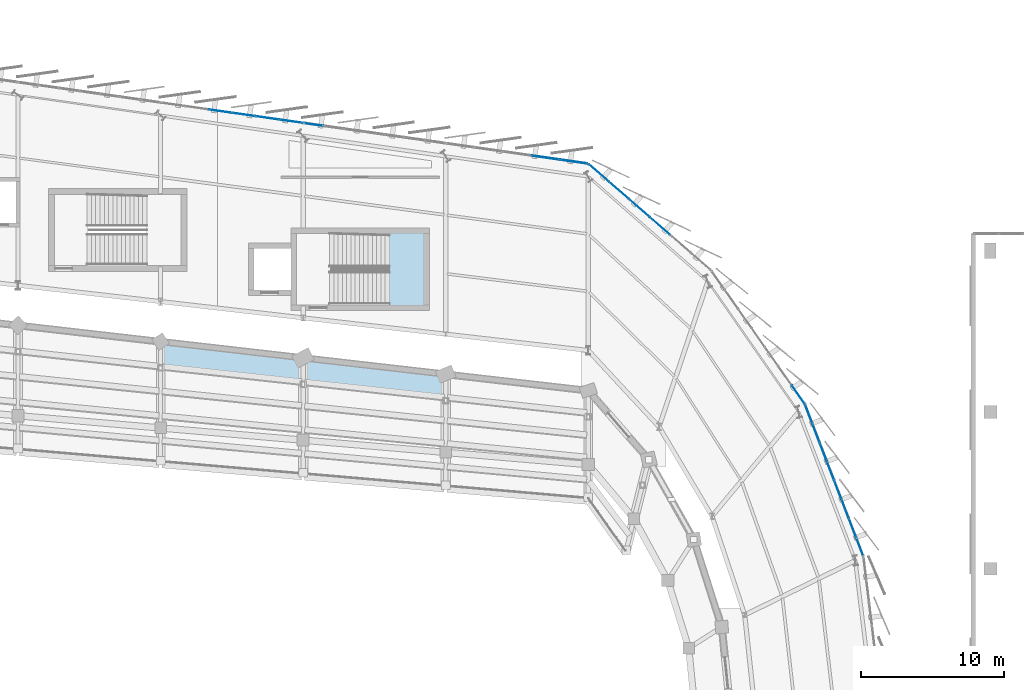
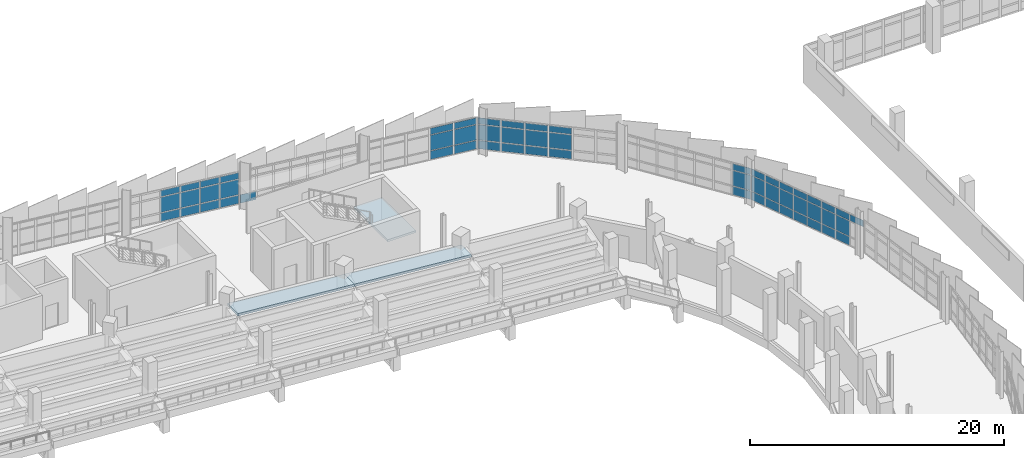
# One storey, part 91 of 120: 56 plates, 3 slabs, 7 elements without a shape of their own.
"""IFC4 building model written with IfcOpenShell, lengths in metres."""

from ifc_helpers import new_model, si_unit, direction, frame, origin, origin_2d, place, context, subcontext, project, spatial, polyline, rectangle, outline, extrude, material, layer, layer_set, type_object, element, aggregate, save


model = new_model("IFC4")

# Units and contexts
model_context = context("Model", 3, precision=1e-05, world=origin(), true_north=direction((0.0, 1.0)))
body_context = subcontext(model_context, "Body", "Model", "MODEL_VIEW")
ifc_project = project(units=[si_unit("LENGTHUNIT", "METRE"), si_unit("AREAUNIT", "SQUARE_METRE"), si_unit("VOLUMEUNIT", "CUBIC_METRE"), si_unit("PLANEANGLEUNIT", "RADIAN"), si_unit("MASSUNIT", "GRAM", prefix="KILO")], contexts=[model_context])

# Site, building, storey
site_placement = place(None, origin())
site = spatial("IfcSite", under=ifc_project, at=site_placement, CompositionType="ELEMENT")
building_placement = place(site_placement, origin())
building = spatial("IfcBuilding", under=site, at=building_placement, Name="Sohan Crest Arena", CompositionType="ELEMENT")
storey_placement = place(building_placement, frame((0.0, 0.0, 13.5)))
storey = spatial("IfcBuildingStorey", under=building, at=storey_placement, Name="L03", CompositionType="ELEMENT", Elevation=13.5)

# Curtain wall, plates
ifc_material_1 = material(Name="Thermally broken anodised aluminium", Category="aluminium")
ifc_layer_1 = layer(ifc_material_1, 0.179931640625, Name="Thermally broken anodised aluminium")
ifc_layer_set_1 = layer_set([ifc_layer_1], Name="Thermally broken anodised aluminium")
curtain_wall_type_1 = type_object("IfcCurtainWallType", Name="ARC-CW01", PredefinedType="NOTDEFINED", material=ifc_layer_set_1)
curtain_wall_1_placement = place(storey_placement, origin())
curtain_wall_1 = element("IfcCurtainWall", 1, at=curtain_wall_1_placement, inside=storey, type_object=curtain_wall_type_1, Name="Unitised curtain wall CW-102", PredefinedType="NOTDEFINED")
ifc_material_2 = material(Name="Low-E double-glazed insulated glass", Category="glass")
ifc_layer_2 = layer(ifc_material_2, 0.028076171875, Name="Low-E double-glazed insulated glass")
ifc_layer_set_2 = layer_set([ifc_layer_2], Name="Low-E double-glazed insulated glass")
plate_type_1 = type_object("IfcPlateType", Name="ARC-CNP01", PredefinedType="CURTAIN_PANEL", material=ifc_layer_set_2)
plate_1_placement = place(storey_placement, frame((187.044189453125, 90.035400390625, 2.44970703125), z_axis=(0.0, 0.0, 1.0), x_axis=(-0.35865103722, 0.93347171007, 0.0)))
plate_1 = element("IfcPlate", 2, at=plate_1_placement, type_object=plate_type_1, Name="CW-102 panel 1.3", PredefinedType="CURTAIN_PANEL", context=body_context, shape_type="SweptSolid", body=[
    extrude(rectangle(XDim=1.340087890625, YDim=0.028076171875, at=origin_2d()), origin(), (0.0, 0.0, 1.0), 0.610107421875),
])
plate_2_placement = place(storey_placement, frame((186.53662109375, 91.356201171875, 0.06005859375), z_axis=(0.0, 0.0, 1.0), x_axis=(-0.35865103722, 0.93347171007, 0.0)))
plate_2 = element("IfcPlate", 3, at=plate_2_placement, type_object=plate_type_1, Name="CW-102 panel 2.1", PredefinedType="CURTAIN_PANEL", context=body_context, shape_type="SweptSolid", body=[
    extrude(rectangle(XDim=1.3701171875, YDim=0.028076171875, at=origin_2d()), origin(), (0.0, 0.0, 1.0), 0.81005859375),
])
plate_3_placement = place(storey_placement, frame((186.53662109375, 91.356201171875, 0.929931640625), z_axis=(0.0, 0.0, 1.0), x_axis=(-0.35865103722, 0.93347171007, 0.0)))
plate_3 = element("IfcPlate", 4, at=plate_3_placement, type_object=plate_type_1, Name="CW-102 panel 2.2", PredefinedType="CURTAIN_PANEL", context=body_context, shape_type="SweptSolid", body=[
    extrude(rectangle(XDim=1.3701171875, YDim=0.028076171875, at=origin_2d()), origin(), (0.0, 0.0, 1.0), 1.4599609375),
])
plate_4_placement = place(storey_placement, frame((186.53662109375, 91.356201171875, 2.44970703125), z_axis=(0.0, 0.0, 1.0), x_axis=(-0.35865103722, 0.93347171007, 0.0)))
plate_4 = element("IfcPlate", 5, at=plate_4_placement, type_object=plate_type_1, Name="CW-102 panel 2.3", PredefinedType="CURTAIN_PANEL", context=body_context, shape_type="SweptSolid", body=[
    extrude(rectangle(XDim=1.3701171875, YDim=0.028076171875, at=origin_2d()), origin(), (0.0, 0.0, 1.0), 0.610107421875),
])
plate_5_placement = place(storey_placement, frame((186.02392578125, 92.691162109375, 0.06005859375), z_axis=(0.0, 0.0, 1.0), x_axis=(-0.35865103722, 0.93347171007, 0.0)))
plate_5 = element("IfcPlate", 6, at=plate_5_placement, type_object=plate_type_1, Name="CW-102 panel 3.1", PredefinedType="CURTAIN_PANEL", context=body_context, shape_type="SweptSolid", body=[
    extrude(rectangle(XDim=1.3701171875, YDim=0.028076171875, at=origin_2d()), origin(), (0.0, 0.0, 1.0), 0.81005859375),
])
plate_6_placement = place(storey_placement, frame((186.02392578125, 92.691162109375, 0.929931640625), z_axis=(0.0, 0.0, 1.0), x_axis=(-0.35865103722, 0.93347171007, 0.0)))
plate_6 = element("IfcPlate", 7, at=plate_6_placement, type_object=plate_type_1, Name="CW-102 panel 3.2", PredefinedType="CURTAIN_PANEL", context=body_context, shape_type="SweptSolid", body=[
    extrude(rectangle(XDim=1.3701171875, YDim=0.028076171875, at=origin_2d()), origin(), (0.0, 0.0, 1.0), 1.4599609375),
])
plate_7_placement = place(storey_placement, frame((186.02392578125, 92.691162109375, 2.44970703125), z_axis=(0.0, 0.0, 1.0), x_axis=(-0.35865103722, 0.93347171007, 0.0)))
plate_7 = element("IfcPlate", 8, at=plate_7_placement, type_object=plate_type_1, Name="CW-102 panel 3.3", PredefinedType="CURTAIN_PANEL", context=body_context, shape_type="SweptSolid", body=[
    extrude(rectangle(XDim=1.3701171875, YDim=0.028076171875, at=origin_2d()), origin(), (0.0, 0.0, 1.0), 0.610107421875),
])
plate_8_placement = place(storey_placement, frame((185.510986328125, 94.026123046875, 0.06005859375), z_axis=(0.0, 0.0, 1.0), x_axis=(-0.35865103722, 0.93347171007, 0.0)))
plate_8 = element("IfcPlate", 9, at=plate_8_placement, type_object=plate_type_1, Name="CW-102 panel 4.1", PredefinedType="CURTAIN_PANEL", context=body_context, shape_type="SweptSolid", body=[
    extrude(rectangle(XDim=1.3701171875, YDim=0.028076171875, at=origin_2d()), origin(), (0.0, 0.0, 1.0), 0.81005859375),
])
plate_9_placement = place(storey_placement, frame((185.510986328125, 94.026123046875, 0.929931640625), z_axis=(0.0, 0.0, 1.0), x_axis=(-0.35865103722, 0.93347171007, 0.0)))
plate_9 = element("IfcPlate", 10, at=plate_9_placement, type_object=plate_type_1, Name="CW-102 panel 4.2", PredefinedType="CURTAIN_PANEL", context=body_context, shape_type="SweptSolid", body=[
    extrude(rectangle(XDim=1.3701171875, YDim=0.028076171875, at=origin_2d()), origin(), (0.0, 0.0, 1.0), 1.4599609375),
])
plate_10_placement = place(storey_placement, frame((185.510986328125, 94.026123046875, 2.44970703125), z_axis=(0.0, 0.0, 1.0), x_axis=(-0.35865103722, 0.93347171007, 0.0)))
plate_10 = element("IfcPlate", 11, at=plate_10_placement, type_object=plate_type_1, Name="CW-102 panel 4.3", PredefinedType="CURTAIN_PANEL", context=body_context, shape_type="SweptSolid", body=[
    extrude(rectangle(XDim=1.3701171875, YDim=0.028076171875, at=origin_2d()), origin(), (0.0, 0.0, 1.0), 0.610107421875),
])
plate_11_placement = place(storey_placement, frame((184.998046875, 95.36083984375, 0.06005859375), z_axis=(0.0, 0.0, 1.0), x_axis=(-0.35865103722, 0.93347171007, 0.0)))
plate_11 = element("IfcPlate", 12, at=plate_11_placement, type_object=plate_type_1, Name="CW-102 panel 5.1", PredefinedType="CURTAIN_PANEL", context=body_context, shape_type="SweptSolid", body=[
    extrude(rectangle(XDim=1.3701171875, YDim=0.028076171875, at=origin_2d()), origin(), (0.0, 0.0, 1.0), 0.81005859375),
])
plate_12_placement = place(storey_placement, frame((184.998046875, 95.36083984375, 0.929931640625), z_axis=(0.0, 0.0, 1.0), x_axis=(-0.35865103722, 0.93347171007, 0.0)))
plate_12 = element("IfcPlate", 13, at=plate_12_placement, type_object=plate_type_1, Name="CW-102 panel 5.2", PredefinedType="CURTAIN_PANEL", context=body_context, shape_type="SweptSolid", body=[
    extrude(rectangle(XDim=1.3701171875, YDim=0.028076171875, at=origin_2d()), origin(), (0.0, 0.0, 1.0), 1.4599609375),
])
plate_13_placement = place(storey_placement, frame((184.998046875, 95.36083984375, 2.44970703125), z_axis=(0.0, 0.0, 1.0), x_axis=(-0.35865103722, 0.93347171007, 0.0)))
plate_13 = element("IfcPlate", 14, at=plate_13_placement, type_object=plate_type_1, Name="CW-102 panel 5.3", PredefinedType="CURTAIN_PANEL", context=body_context, shape_type="SweptSolid", body=[
    extrude(rectangle(XDim=1.3701171875, YDim=0.028076171875, at=origin_2d()), origin(), (0.0, 0.0, 1.0), 0.610107421875),
])
plate_14_placement = place(storey_placement, frame((184.485107421875, 96.69580078125, 0.06005859375), z_axis=(0.0, 0.0, 1.0), x_axis=(-0.35865103722, 0.93347171007, 0.0)))
plate_14 = element("IfcPlate", 15, at=plate_14_placement, type_object=plate_type_1, Name="CW-102 panel 6.1", PredefinedType="CURTAIN_PANEL", context=body_context, shape_type="SweptSolid", body=[
    extrude(rectangle(XDim=1.3701171875, YDim=0.028076171875, at=origin_2d()), origin(), (0.0, 0.0, 1.0), 0.81005859375),
])
plate_15_placement = place(storey_placement, frame((184.485107421875, 96.69580078125, 0.929931640625), z_axis=(0.0, 0.0, 1.0), x_axis=(-0.35865103722, 0.93347171007, 0.0)))
plate_15 = element("IfcPlate", 16, at=plate_15_placement, type_object=plate_type_1, Name="CW-102 panel 6.2", PredefinedType="CURTAIN_PANEL", context=body_context, shape_type="SweptSolid", body=[
    extrude(rectangle(XDim=1.3701171875, YDim=0.028076171875, at=origin_2d()), origin(), (0.0, 0.0, 1.0), 1.4599609375),
])
plate_16_placement = place(storey_placement, frame((184.485107421875, 96.69580078125, 2.44970703125), z_axis=(0.0, 0.0, 1.0), x_axis=(-0.35865103722, 0.93347171007, 0.0)))
plate_16 = element("IfcPlate", 17, at=plate_16_placement, type_object=plate_type_1, Name="CW-102 panel 6.3", PredefinedType="CURTAIN_PANEL", context=body_context, shape_type="SweptSolid", body=[
    extrude(rectangle(XDim=1.3701171875, YDim=0.028076171875, at=origin_2d()), origin(), (0.0, 0.0, 1.0), 0.610107421875),
])
plate_17_placement = place(storey_placement, frame((183.972412109375, 98.03076171875, 0.06005859375), z_axis=(0.0, 0.0, 1.0), x_axis=(-0.35865103722, 0.93347171007, 0.0)))
plate_17 = element("IfcPlate", 18, at=plate_17_placement, type_object=plate_type_1, Name="CW-102 panel 7.1", PredefinedType="CURTAIN_PANEL", context=body_context, shape_type="SweptSolid", body=[
    extrude(rectangle(XDim=1.3701171875, YDim=0.028076171875, at=origin_2d()), origin(), (0.0, 0.0, 1.0), 0.81005859375),
])
plate_18_placement = place(storey_placement, frame((183.972412109375, 98.03076171875, 0.929931640625), z_axis=(0.0, 0.0, 1.0), x_axis=(-0.35865103722, 0.93347171007, 0.0)))
plate_18 = element("IfcPlate", 19, at=plate_18_placement, type_object=plate_type_1, Name="CW-102 panel 7.2", PredefinedType="CURTAIN_PANEL", context=body_context, shape_type="SweptSolid", body=[
    extrude(rectangle(XDim=1.3701171875, YDim=0.028076171875, at=origin_2d()), origin(), (0.0, 0.0, 1.0), 1.4599609375),
])
plate_19_placement = place(storey_placement, frame((183.972412109375, 98.03076171875, 2.44970703125), z_axis=(0.0, 0.0, 1.0), x_axis=(-0.35865103722, 0.93347171007, 0.0)))
plate_19 = element("IfcPlate", 20, at=plate_19_placement, type_object=plate_type_1, Name="CW-102 panel 7.3", PredefinedType="CURTAIN_PANEL", context=body_context, shape_type="SweptSolid", body=[
    extrude(rectangle(XDim=1.3701171875, YDim=0.028076171875, at=origin_2d()), origin(), (0.0, 0.0, 1.0), 0.610107421875),
])
plate_20_placement = place(storey_placement, frame((183.46484375, 99.3515625, 0.06005859375), z_axis=(0.0, 0.0, 1.0), x_axis=(-0.35865103722, 0.93347171007, 0.0)))
plate_20 = element("IfcPlate", 21, at=plate_20_placement, type_object=plate_type_1, Name="CW-102 panel 8.1", PredefinedType="CURTAIN_PANEL", context=body_context, shape_type="SweptSolid", body=[
    extrude(rectangle(XDim=1.340087890625, YDim=0.028076171875, at=origin_2d()), origin(), (0.0, 0.0, 1.0), 0.81005859375),
])
plate_21_placement = place(storey_placement, frame((183.46484375, 99.3515625, 0.929931640625), z_axis=(0.0, 0.0, 1.0), x_axis=(-0.35865103722, 0.93347171007, 0.0)))
plate_21 = element("IfcPlate", 22, at=plate_21_placement, type_object=plate_type_1, Name="CW-102 panel 8.2", PredefinedType="CURTAIN_PANEL", context=body_context, shape_type="SweptSolid", body=[
    extrude(rectangle(XDim=1.340087890625, YDim=0.028076171875, at=origin_2d()), origin(), (0.0, 0.0, 1.0), 1.4599609375),
])
plate_22_placement = place(storey_placement, frame((183.46484375, 99.3515625, 2.44970703125), z_axis=(0.0, 0.0, 1.0), x_axis=(-0.35865103722, 0.93347171007, 0.0)))
plate_22 = element("IfcPlate", 23, at=plate_22_placement, type_object=plate_type_1, Name="CW-102 panel 8.3", PredefinedType="CURTAIN_PANEL", context=body_context, shape_type="SweptSolid", body=[
    extrude(rectangle(XDim=1.340087890625, YDim=0.028076171875, at=origin_2d()), origin(), (0.0, 0.0, 1.0), 0.610107421875),
])
aggregate(curtain_wall_1, [plate_1, plate_2, plate_3, plate_4, plate_5, plate_6, plate_7, plate_8, plate_9, plate_10, plate_11, plate_12, plate_13, plate_14, plate_15, plate_16, plate_17, plate_18, plate_19, plate_20, plate_21, plate_22])

# Curtain wall, plate
ifc_layer_3 = layer(ifc_material_1, 0.18994140625, Name="Thermally broken anodised aluminium")
ifc_layer_set_3 = layer_set([ifc_layer_3], Name="Thermally broken anodised aluminium")
curtain_wall_type_2 = type_object("IfcCurtainWallType", Name="ARC-CW05", PredefinedType="NOTDEFINED", material=ifc_layer_set_3)
curtain_wall_2_placement = place(storey_placement, origin())
curtain_wall_2 = element("IfcCurtainWall", 24, at=curtain_wall_2_placement, inside=storey, type_object=curtain_wall_type_2, Name="Unitised curtain wall CW-106", PredefinedType="NOTDEFINED")
plate_23_placement = place(storey_placement, frame((148.729248046875, 119.65283203125, 0.06494140625), z_axis=(0.0, 0.0, 1.0), x_axis=(-0.989957411768, 0.141365918403, 0.0)))
plate_23 = element("IfcPlate", 25, at=plate_23_placement, type_object=plate_type_1, Name="CW-106 panel 7.1", PredefinedType="CURTAIN_PANEL", context=body_context, shape_type="SweptSolid", body=[
    extrude(rectangle(XDim=1.35302734375, YDim=0.028076171875, at=origin_2d()), origin(), (0.0, 0.0, 1.0), 0.802490234375),
])
aggregate(curtain_wall_2, [plate_23])

# Curtain wall, plates
ifc_layer_4 = layer(ifc_material_1, 0.199951171875, Name="Thermally broken anodised aluminium")
ifc_layer_set_4 = layer_set([ifc_layer_4], Name="Thermally broken anodised aluminium")
curtain_wall_type_3 = type_object("IfcCurtainWallType", Name="ARC-CW02", PredefinedType="NOTDEFINED", material=ifc_layer_set_4)
curtain_wall_3_placement = place(storey_placement, origin())
curtain_wall_3 = element("IfcCurtainWall", 26, at=curtain_wall_3_placement, inside=storey, type_object=curtain_wall_type_3, Name="Unitised curtain wall CW-103", PredefinedType="NOTDEFINED")
ifc_layer_5 = layer(ifc_material_2, 0.031982421875, Name="Low-E double-glazed insulated glass")
ifc_layer_set_5 = layer_set([ifc_layer_5], Name="Low-E double-glazed insulated glass")
plate_type_2 = type_object("IfcPlateType", Name="ARC-CNP02", PredefinedType="CURTAIN_PANEL", material=ifc_layer_set_5)
plate_24_placement = place(storey_placement, frame((182.724853515625, 100.71533203125, 0.06494140625), z_axis=(0.0, 0.0, 1.0), x_axis=(-0.573937504976, 0.818899102687, 0.0)))
plate_24 = element("IfcPlate", 27, at=plate_24_placement, type_object=plate_type_2, Name="CW-103 panel 1.1", PredefinedType="CURTAIN_PANEL", context=body_context, shape_type="SweptSolid", body=[
    extrude(rectangle(XDim=1.53662109375, YDim=0.031982421875, at=origin_2d()), origin(), (0.0, 0.0, 1.0), 0.802490234375),
])
plate_25_placement = place(storey_placement, frame((182.724853515625, 100.71533203125, 0.932373046875), z_axis=(0.0, 0.0, 1.0), x_axis=(-0.573937504976, 0.818899102687, 0.0)))
plate_25 = element("IfcPlate", 28, at=plate_25_placement, type_object=plate_type_2, Name="CW-103 panel 1.2", PredefinedType="CURTAIN_PANEL", context=body_context, shape_type="SweptSolid", body=[
    extrude(rectangle(XDim=1.53662109375, YDim=0.031982421875, at=origin_2d()), origin(), (0.0, 0.0, 1.0), 1.455078125),
])
plate_26_placement = place(storey_placement, frame((182.724853515625, 100.71533203125, 2.452392578125), z_axis=(0.0, 0.0, 1.0), x_axis=(-0.573937504976, 0.818899102687, 0.0)))
plate_26 = element("IfcPlate", 29, at=plate_26_placement, type_object=plate_type_2, Name="CW-103 panel 1.3", PredefinedType="CURTAIN_PANEL", context=body_context, shape_type="SweptSolid", body=[
    extrude(rectangle(XDim=1.53662109375, YDim=0.031982421875, at=origin_2d()), origin(), (0.0, 0.0, 1.0), 0.6025390625),
])
aggregate(curtain_wall_3, [plate_24, plate_25, plate_26])

ifc_layer_6 = layer(ifc_material_1, 0.2099609375, Name="Thermally broken anodised aluminium")
ifc_layer_set_6 = layer_set([ifc_layer_6], Name="Thermally broken anodised aluminium")
curtain_wall_type_4 = type_object("IfcCurtainWallType", Name="ARC-CW06", PredefinedType="NOTDEFINED", material=ifc_layer_set_6)
curtain_wall_4_placement = place(storey_placement, origin())
curtain_wall_4 = element("IfcCurtainWall", 30, at=curtain_wall_4_placement, inside=storey, type_object=curtain_wall_type_4, Name="Unitised curtain wall CW-107", PredefinedType="NOTDEFINED")
plate_27_placement = place(storey_placement, frame((147.150634765625, 119.87841796875, 0.070068359375), z_axis=(0.0, 0.0, 1.0), x_axis=(-0.989943553128, 0.141462933734, 0.0)))
plate_27 = element("IfcPlate", 31, at=plate_27_placement, type_object=plate_type_2, Name="CW-107 panel 1.1", PredefinedType="CURTAIN_PANEL", context=body_context, shape_type="SweptSolid", body=[
    extrude(rectangle(XDim=1.586181640625, YDim=0.031982421875, at=origin_2d()), origin(), (0.0, 0.0, 1.0), 0.794921875),
])
plate_28_placement = place(storey_placement, frame((147.150634765625, 119.87841796875, 0.93505859375), z_axis=(0.0, 0.0, 1.0), x_axis=(-0.989943553128, 0.141462933734, 0.0)))
plate_28 = element("IfcPlate", 32, at=plate_28_placement, type_object=plate_type_2, Name="CW-107 panel 1.2", PredefinedType="CURTAIN_PANEL", context=body_context, shape_type="SweptSolid", body=[
    extrude(rectangle(XDim=1.586181640625, YDim=0.031982421875, at=origin_2d()), origin(), (0.0, 0.0, 1.0), 1.449951171875),
])
plate_29_placement = place(storey_placement, frame((147.150634765625, 119.87841796875, 2.455078125), z_axis=(0.0, 0.0, 1.0), x_axis=(-0.989943553128, 0.141462933734, 0.0)))
plate_29 = element("IfcPlate", 33, at=plate_29_placement, type_object=plate_type_2, Name="CW-107 panel 1.3", PredefinedType="CURTAIN_PANEL", context=body_context, shape_type="SweptSolid", body=[
    extrude(rectangle(XDim=1.586181640625, YDim=0.031982421875, at=origin_2d()), origin(), (0.0, 0.0, 1.0), 0.594970703125),
])
plate_30_placement = place(storey_placement, frame((145.5, 120.1142578125, 0.070068359375), z_axis=(0.0, 0.0, 1.0), x_axis=(-0.989943553128, 0.141462933734, 0.0)))
plate_30 = element("IfcPlate", 34, at=plate_30_placement, type_object=plate_type_2, Name="CW-107 panel 2.1", PredefinedType="CURTAIN_PANEL", context=body_context, shape_type="SweptSolid", body=[
    extrude(rectangle(XDim=1.61865234375, YDim=0.031982421875, at=origin_2d()), origin(), (0.0, 0.0, 1.0), 0.794921875),
])
plate_31_placement = place(storey_placement, frame((145.5, 120.1142578125, 0.93505859375), z_axis=(0.0, 0.0, 1.0), x_axis=(-0.989943553128, 0.141462933734, 0.0)))
plate_31 = element("IfcPlate", 35, at=plate_31_placement, type_object=plate_type_2, Name="CW-107 panel 2.2", PredefinedType="CURTAIN_PANEL", context=body_context, shape_type="SweptSolid", body=[
    extrude(rectangle(XDim=1.61865234375, YDim=0.031982421875, at=origin_2d()), origin(), (0.0, 0.0, 1.0), 1.449951171875),
])
plate_32_placement = place(storey_placement, frame((145.5, 120.1142578125, 2.455078125), z_axis=(0.0, 0.0, 1.0), x_axis=(-0.989943553128, 0.141462933734, 0.0)))
plate_32 = element("IfcPlate", 36, at=plate_32_placement, type_object=plate_type_2, Name="CW-107 panel 2.3", PredefinedType="CURTAIN_PANEL", context=body_context, shape_type="SweptSolid", body=[
    extrude(rectangle(XDim=1.61865234375, YDim=0.031982421875, at=origin_2d()), origin(), (0.0, 0.0, 1.0), 0.594970703125),
])
plate_33_placement = place(storey_placement, frame((143.833251953125, 120.352294921875, 0.070068359375), z_axis=(0.0, 0.0, 1.0), x_axis=(-0.989943553128, 0.141462933734, 0.0)))
plate_33 = element("IfcPlate", 37, at=plate_33_placement, type_object=plate_type_2, Name="CW-107 panel 3.1", PredefinedType="CURTAIN_PANEL", context=body_context, shape_type="SweptSolid", body=[
    extrude(rectangle(XDim=1.61865234375, YDim=0.031982421875, at=origin_2d()), origin(), (0.0, 0.0, 1.0), 0.794921875),
])
plate_34_placement = place(storey_placement, frame((143.833251953125, 120.352294921875, 0.93505859375), z_axis=(0.0, 0.0, 1.0), x_axis=(-0.989943553128, 0.141462933734, 0.0)))
plate_34 = element("IfcPlate", 38, at=plate_34_placement, type_object=plate_type_2, Name="CW-107 panel 3.2", PredefinedType="CURTAIN_PANEL", context=body_context, shape_type="SweptSolid", body=[
    extrude(rectangle(XDim=1.61865234375, YDim=0.031982421875, at=origin_2d()), origin(), (0.0, 0.0, 1.0), 1.449951171875),
])
plate_35_placement = place(storey_placement, frame((143.833251953125, 120.352294921875, 2.455078125), z_axis=(0.0, 0.0, 1.0), x_axis=(-0.989943553128, 0.141462933734, 0.0)))
plate_35 = element("IfcPlate", 39, at=plate_35_placement, type_object=plate_type_2, Name="CW-107 panel 3.3", PredefinedType="CURTAIN_PANEL", context=body_context, shape_type="SweptSolid", body=[
    extrude(rectangle(XDim=1.61865234375, YDim=0.031982421875, at=origin_2d()), origin(), (0.0, 0.0, 1.0), 0.594970703125),
])
plate_36_placement = place(storey_placement, frame((142.166748046875, 120.590576171875, 0.070068359375), z_axis=(0.0, 0.0, 1.0), x_axis=(-0.989943553128, 0.141462933734, 0.0)))
plate_36 = element("IfcPlate", 40, at=plate_36_placement, type_object=plate_type_2, Name="CW-107 panel 4.1", PredefinedType="CURTAIN_PANEL", context=body_context, shape_type="SweptSolid", body=[
    extrude(rectangle(XDim=1.61865234375, YDim=0.031982421875, at=origin_2d()), origin(), (0.0, 0.0, 1.0), 0.794921875),
])
plate_37_placement = place(storey_placement, frame((142.166748046875, 120.590576171875, 0.93505859375), z_axis=(0.0, 0.0, 1.0), x_axis=(-0.989943553128, 0.141462933734, 0.0)))
plate_37 = element("IfcPlate", 41, at=plate_37_placement, type_object=plate_type_2, Name="CW-107 panel 4.2", PredefinedType="CURTAIN_PANEL", context=body_context, shape_type="SweptSolid", body=[
    extrude(rectangle(XDim=1.61865234375, YDim=0.031982421875, at=origin_2d()), origin(), (0.0, 0.0, 1.0), 1.449951171875),
])
plate_38_placement = place(storey_placement, frame((142.166748046875, 120.590576171875, 2.455078125), z_axis=(0.0, 0.0, 1.0), x_axis=(-0.989943553128, 0.141462933734, 0.0)))
plate_38 = element("IfcPlate", 42, at=plate_38_placement, type_object=plate_type_2, Name="CW-107 panel 4.3", PredefinedType="CURTAIN_PANEL", context=body_context, shape_type="SweptSolid", body=[
    extrude(rectangle(XDim=1.61865234375, YDim=0.031982421875, at=origin_2d()), origin(), (0.0, 0.0, 1.0), 0.594970703125),
])
aggregate(curtain_wall_4, [plate_27, plate_28, plate_29, plate_30, plate_31, plate_32, plate_33, plate_34, plate_35, plate_36, plate_37, plate_38])

ifc_layer_7 = layer(ifc_material_1, 0.219970703125, Name="Thermally broken anodised aluminium")
ifc_layer_set_7 = layer_set([ifc_layer_7], Name="Thermally broken anodised aluminium")
curtain_wall_type_5 = type_object("IfcCurtainWallType", Name="ARC-CW03", PredefinedType="NOTDEFINED", material=ifc_layer_set_7)
curtain_wall_5_placement = place(storey_placement, origin())
curtain_wall_5 = element("IfcCurtainWall", 43, at=curtain_wall_5_placement, inside=storey, type_object=curtain_wall_type_5, Name="Unitised curtain wall CW-104", PredefinedType="NOTDEFINED")
ifc_material_3 = material(Name="Ceramic-fritted solar-control insulated glass", Category="glass")
ifc_layer_8 = layer(ifc_material_3, 0.035888671875, Name="Ceramic-fritted solar-control insulated glass")
ifc_layer_set_8 = layer_set([ifc_layer_8], Name="Ceramic-fritted solar-control insulated glass")
plate_type_3 = type_object("IfcPlateType", Name="ARC-CNP03", PredefinedType="CURTAIN_PANEL", material=ifc_layer_set_8)
plate_39_placement = place(storey_placement, frame((173.038818359375, 112.52490234375, 0.070068359375), z_axis=(0.0, 0.0, 1.0), x_axis=(-0.755094613026, 0.655615836736, 0.0)))
plate_39 = element("IfcPlate", 44, at=plate_39_placement, type_object=plate_type_3, Name="CW-104 panel 3.1", PredefinedType="CURTAIN_PANEL", context=body_context, shape_type="SweptSolid", body=[
    extrude(rectangle(XDim=1.836669921875, YDim=0.035888671875, at=origin_2d()), origin(), (0.0, 0.0, 1.0), 0.794921875),
])
plate_40_placement = place(storey_placement, frame((173.038818359375, 112.52490234375, 0.93505859375), z_axis=(0.0, 0.0, 1.0), x_axis=(-0.755094613026, 0.655615836736, 0.0)))
plate_40 = element("IfcPlate", 45, at=plate_40_placement, type_object=plate_type_3, Name="CW-104 panel 3.2", PredefinedType="CURTAIN_PANEL", context=body_context, shape_type="SweptSolid", body=[
    extrude(rectangle(XDim=1.836669921875, YDim=0.035888671875, at=origin_2d()), origin(), (0.0, 0.0, 1.0), 1.449951171875),
])
plate_41_placement = place(storey_placement, frame((173.038818359375, 112.52490234375, 2.455078125), z_axis=(0.0, 0.0, 1.0), x_axis=(-0.755094613026, 0.655615836736, 0.0)))
plate_41 = element("IfcPlate", 46, at=plate_41_placement, type_object=plate_type_3, Name="CW-104 panel 3.3", PredefinedType="CURTAIN_PANEL", context=body_context, shape_type="SweptSolid", body=[
    extrude(rectangle(XDim=1.836669921875, YDim=0.035888671875, at=origin_2d()), origin(), (0.0, 0.0, 1.0), 0.594970703125),
])
plate_42_placement = place(storey_placement, frame((171.59912109375, 113.77490234375, 0.070068359375), z_axis=(0.0, 0.0, 1.0), x_axis=(-0.755094613026, 0.655615836736, 0.0)))
plate_42 = element("IfcPlate", 47, at=plate_42_placement, type_object=plate_type_3, Name="CW-104 panel 4.1", PredefinedType="CURTAIN_PANEL", context=body_context, shape_type="SweptSolid", body=[
    extrude(rectangle(XDim=1.836669921875, YDim=0.035888671875, at=origin_2d()), origin(), (0.0, 0.0, 1.0), 0.794921875),
])
plate_43_placement = place(storey_placement, frame((171.59912109375, 113.77490234375, 0.93505859375), z_axis=(0.0, 0.0, 1.0), x_axis=(-0.755094613026, 0.655615836736, 0.0)))
plate_43 = element("IfcPlate", 48, at=plate_43_placement, type_object=plate_type_3, Name="CW-104 panel 4.2", PredefinedType="CURTAIN_PANEL", context=body_context, shape_type="SweptSolid", body=[
    extrude(rectangle(XDim=1.836669921875, YDim=0.035888671875, at=origin_2d()), origin(), (0.0, 0.0, 1.0), 1.449951171875),
])
plate_44_placement = place(storey_placement, frame((171.59912109375, 113.77490234375, 2.455078125), z_axis=(0.0, 0.0, 1.0), x_axis=(-0.755094613026, 0.655615836736, 0.0)))
plate_44 = element("IfcPlate", 49, at=plate_44_placement, type_object=plate_type_3, Name="CW-104 panel 4.3", PredefinedType="CURTAIN_PANEL", context=body_context, shape_type="SweptSolid", body=[
    extrude(rectangle(XDim=1.836669921875, YDim=0.035888671875, at=origin_2d()), origin(), (0.0, 0.0, 1.0), 0.594970703125),
])
plate_45_placement = place(storey_placement, frame((170.159423828125, 115.02490234375, 0.070068359375), z_axis=(0.0, 0.0, 1.0), x_axis=(-0.755094613026, 0.655615836736, 0.0)))
plate_45 = element("IfcPlate", 50, at=plate_45_placement, type_object=plate_type_3, Name="CW-104 panel 5.1", PredefinedType="CURTAIN_PANEL", context=body_context, shape_type="SweptSolid", body=[
    extrude(rectangle(XDim=1.836669921875, YDim=0.035888671875, at=origin_2d()), origin(), (0.0, 0.0, 1.0), 0.794921875),
])
plate_46_placement = place(storey_placement, frame((170.159423828125, 115.02490234375, 0.93505859375), z_axis=(0.0, 0.0, 1.0), x_axis=(-0.755094613026, 0.655615836736, 0.0)))
plate_46 = element("IfcPlate", 51, at=plate_46_placement, type_object=plate_type_3, Name="CW-104 panel 5.2", PredefinedType="CURTAIN_PANEL", context=body_context, shape_type="SweptSolid", body=[
    extrude(rectangle(XDim=1.836669921875, YDim=0.035888671875, at=origin_2d()), origin(), (0.0, 0.0, 1.0), 1.449951171875),
])
plate_47_placement = place(storey_placement, frame((170.159423828125, 115.02490234375, 2.455078125), z_axis=(0.0, 0.0, 1.0), x_axis=(-0.755094613026, 0.655615836736, 0.0)))
plate_47 = element("IfcPlate", 52, at=plate_47_placement, type_object=plate_type_3, Name="CW-104 panel 5.3", PredefinedType="CURTAIN_PANEL", context=body_context, shape_type="SweptSolid", body=[
    extrude(rectangle(XDim=1.836669921875, YDim=0.035888671875, at=origin_2d()), origin(), (0.0, 0.0, 1.0), 0.594970703125),
])
plate_48_placement = place(storey_placement, frame((168.733154296875, 116.263427734375, 0.070068359375), z_axis=(0.0, 0.0, 1.0), x_axis=(-0.755094613026, 0.655615836736, 0.0)))
plate_48 = element("IfcPlate", 53, at=plate_48_placement, type_object=plate_type_3, Name="CW-104 panel 6.1", PredefinedType="CURTAIN_PANEL", context=body_context, shape_type="SweptSolid", body=[
    extrude(rectangle(XDim=1.801513671875, YDim=0.035888671875, at=origin_2d()), origin(), (0.0, 0.0, 1.0), 0.794921875),
])
plate_49_placement = place(storey_placement, frame((168.733154296875, 116.263427734375, 0.93505859375), z_axis=(0.0, 0.0, 1.0), x_axis=(-0.755094613026, 0.655615836736, 0.0)))
plate_49 = element("IfcPlate", 54, at=plate_49_placement, type_object=plate_type_3, Name="CW-104 panel 6.2", PredefinedType="CURTAIN_PANEL", context=body_context, shape_type="SweptSolid", body=[
    extrude(rectangle(XDim=1.801513671875, YDim=0.035888671875, at=origin_2d()), origin(), (0.0, 0.0, 1.0), 1.449951171875),
])
plate_50_placement = place(storey_placement, frame((168.733154296875, 116.263427734375, 2.455078125), z_axis=(0.0, 0.0, 1.0), x_axis=(-0.755094613026, 0.655615836736, 0.0)))
plate_50 = element("IfcPlate", 55, at=plate_50_placement, type_object=plate_type_3, Name="CW-104 panel 6.3", PredefinedType="CURTAIN_PANEL", context=body_context, shape_type="SweptSolid", body=[
    extrude(rectangle(XDim=1.801513671875, YDim=0.035888671875, at=origin_2d()), origin(), (0.0, 0.0, 1.0), 0.594970703125),
])
aggregate(curtain_wall_5, [plate_39, plate_40, plate_41, plate_42, plate_43, plate_44, plate_45, plate_46, plate_47, plate_48, plate_49, plate_50])

ifc_layer_9 = layer(ifc_material_1, 0.239990234375, Name="Thermally broken anodised aluminium")
ifc_layer_set_9 = layer_set([ifc_layer_9], Name="Thermally broken anodised aluminium")
curtain_wall_type_6 = type_object("IfcCurtainWallType", Name="ARC-CW04", PredefinedType="NOTDEFINED", material=ifc_layer_set_9)
curtain_wall_6_placement = place(storey_placement, origin())
curtain_wall_6 = element("IfcCurtainWall", 56, at=curtain_wall_6_placement, inside=storey, type_object=curtain_wall_type_6, Name="Unitised curtain wall CW-105", PredefinedType="NOTDEFINED")
ifc_material_4 = material(Name="Insulated polychrome ceramic spandrel panel", Category="masonry")
ifc_layer_10 = layer(ifc_material_4, 0.0419921875, Name="Insulated polychrome ceramic spandrel panel")
ifc_layer_set_10 = layer_set([ifc_layer_10], Name="Insulated polychrome ceramic spandrel panel")
plate_type_4 = type_object("IfcPlateType", Name="ARC-CNP04", PredefinedType="CURTAIN_PANEL", material=ifc_layer_set_10)
plate_51_placement = place(storey_placement, frame((166.9814453125, 117.045654296875, 0.06005859375), z_axis=(0.0, 0.0, 1.0), x_axis=(-0.989943553128, 0.141462933734, 0.0)))
plate_51 = element("IfcPlate", 57, at=plate_51_placement, type_object=plate_type_4, Name="CW-105 panel 1.1", PredefinedType="CURTAIN_PANEL", context=body_context, shape_type="SweptSolid", body=[
    extrude(rectangle(XDim=1.90771484375, YDim=0.0419921875, at=origin_2d()), origin(), (0.0, 0.0, 1.0), 0.81005859375),
])
plate_52_placement = place(storey_placement, frame((166.9814453125, 117.045654296875, 0.929931640625), z_axis=(0.0, 0.0, 1.0), x_axis=(-0.989943553128, 0.141462933734, 0.0)))
plate_52 = element("IfcPlate", 58, at=plate_52_placement, type_object=plate_type_4, Name="CW-105 panel 1.2", PredefinedType="CURTAIN_PANEL", context=body_context, shape_type="SweptSolid", body=[
    extrude(rectangle(XDim=1.90771484375, YDim=0.0419921875, at=origin_2d()), origin(), (0.0, 0.0, 1.0), 1.4599609375),
])
plate_53_placement = place(storey_placement, frame((166.9814453125, 117.045654296875, 2.44970703125), z_axis=(0.0, 0.0, 1.0), x_axis=(-0.989943553128, 0.141462933734, 0.0)))
plate_53 = element("IfcPlate", 59, at=plate_53_placement, type_object=plate_type_4, Name="CW-105 panel 1.3", PredefinedType="CURTAIN_PANEL", context=body_context, shape_type="SweptSolid", body=[
    extrude(rectangle(XDim=1.90771484375, YDim=0.0419921875, at=origin_2d()), origin(), (0.0, 0.0, 1.0), 0.610107421875),
])
plate_54_placement = place(storey_placement, frame((165.0, 117.32861328125, 0.06005859375), z_axis=(0.0, 0.0, 1.0), x_axis=(-0.989943553128, 0.141462933734, 0.0)))
plate_54 = element("IfcPlate", 60, at=plate_54_placement, type_object=plate_type_4, Name="CW-105 panel 2.1", PredefinedType="CURTAIN_PANEL", context=body_context, shape_type="SweptSolid", body=[
    extrude(rectangle(XDim=1.9453125, YDim=0.0419921875, at=origin_2d()), origin(), (0.0, 0.0, 1.0), 0.81005859375),
])
plate_55_placement = place(storey_placement, frame((165.0, 117.32861328125, 0.929931640625), z_axis=(0.0, 0.0, 1.0), x_axis=(-0.989943553128, 0.141462933734, 0.0)))
plate_55 = element("IfcPlate", 61, at=plate_55_placement, type_object=plate_type_4, Name="CW-105 panel 2.2", PredefinedType="CURTAIN_PANEL", context=body_context, shape_type="SweptSolid", body=[
    extrude(rectangle(XDim=1.9453125, YDim=0.0419921875, at=origin_2d()), origin(), (0.0, 0.0, 1.0), 1.4599609375),
])
plate_56_placement = place(storey_placement, frame((165.0, 117.32861328125, 2.44970703125), z_axis=(0.0, 0.0, 1.0), x_axis=(-0.989943553128, 0.141462933734, 0.0)))
plate_56 = element("IfcPlate", 62, at=plate_56_placement, type_object=plate_type_4, Name="CW-105 panel 2.3", PredefinedType="CURTAIN_PANEL", context=body_context, shape_type="SweptSolid", body=[
    extrude(rectangle(XDim=1.9453125, YDim=0.0419921875, at=origin_2d()), origin(), (0.0, 0.0, 1.0), 0.610107421875),
])
aggregate(curtain_wall_6, [plate_51, plate_52, plate_53, plate_54, plate_55, plate_56])

# Stair, slab
ifc_material_5 = material(Name="Concrete C40/50", Category="concrete")
stair_type = type_object("IfcStairType", Name="ST-450", PredefinedType="TWO_STRAIGHT_RUN_STAIR", material=ifc_material_5)
stair_placement = place(storey_placement, origin())
stair = element("IfcStair", 63, at=stair_placement, inside=storey, type_object=stair_type, Name="Protected exit stair ST10-L03", PredefinedType="TWO_STRAIGHT_RUN_STAIR")
ifc_layer_11 = layer(ifc_material_5, 0.199951171875, Name="Concrete C40/50")
ifc_layer_set_11 = layer_set([ifc_layer_11], Name="Concrete C40/50")
slab_type_1 = type_object("IfcSlabType", Name="SL-LND1", PredefinedType="LANDING", material=ifc_layer_set_11)
slab_1_placement = place(storey_placement, frame((0.0, 0.0, 2.050048828125)))
slab_1 = element("IfcSlab", 64, at=slab_1_placement, type_object=slab_type_1, Name="ST10-L03 landing 1", PredefinedType="LANDING", context=body_context, shape_type="SweptSolid", body=[
    extrude(outline(polyline([(154.030029296875, 106.85009765625), (156.60009765625, 106.85009765625), (156.60009765625, 112.14990234375), (154.030029296875, 112.14990234375), (154.030029296875, 106.85009765625)])), origin(), (0.0, 0.0, 1.0), 0.199951171875),
])
aggregate(stair, [slab_1])

# Slabs
ifc_material_6 = material(Name="Precast concrete C50/60", Category="concrete")
ifc_layer_12 = layer(ifc_material_6, 0.235107421875, Name="Precast concrete C50/60")
ifc_layer_set_12 = layer_set([ifc_layer_12], Name="Precast concrete C50/60")
slab_type_2 = type_object("IfcSlabType", Name="SL-TIER3", PredefinedType="USERDEFINED", material=ifc_layer_set_12)
slab_2_placement = place(storey_placement, frame((0.0, 0.0, 3.051025390625)))
element("IfcSlab", 65, at=slab_2_placement, inside=storey, type_object=slab_type_2, Name="Upper cantilevered precast seating tier ST-UPP-215", ObjectType="SEATING TIER", PredefinedType="USERDEFINED", context=body_context, shape_type="SweptSolid", body=[
    extrude(outline(polyline([(158.0, 100.52587890625), (148.0, 101.612060546875), (148.0, 103.218994140625), (158.0, 102.077880859375), (158.0, 100.52587890625)])), origin(), (0.0, 0.0, 1.0), 0.23486328125),
])
slab_3_placement = place(storey_placement, frame((0.0, 0.0, 3.051025390625)))
element("IfcSlab", 66, at=slab_3_placement, inside=storey, type_object=slab_type_2, Name="Upper cantilevered precast seating tier ST-UPP-225", ObjectType="SEATING TIER", PredefinedType="USERDEFINED", context=body_context, shape_type="SweptSolid", body=[
    extrude(outline(polyline([(148.0, 101.612060546875), (138.0, 102.697021484375), (138.0, 104.360107421875), (148.0, 103.218994140625), (148.0, 101.612060546875)])), origin(), (0.0, 0.0, 1.0), 0.23486328125),
])

save(model, "model.ifc")
